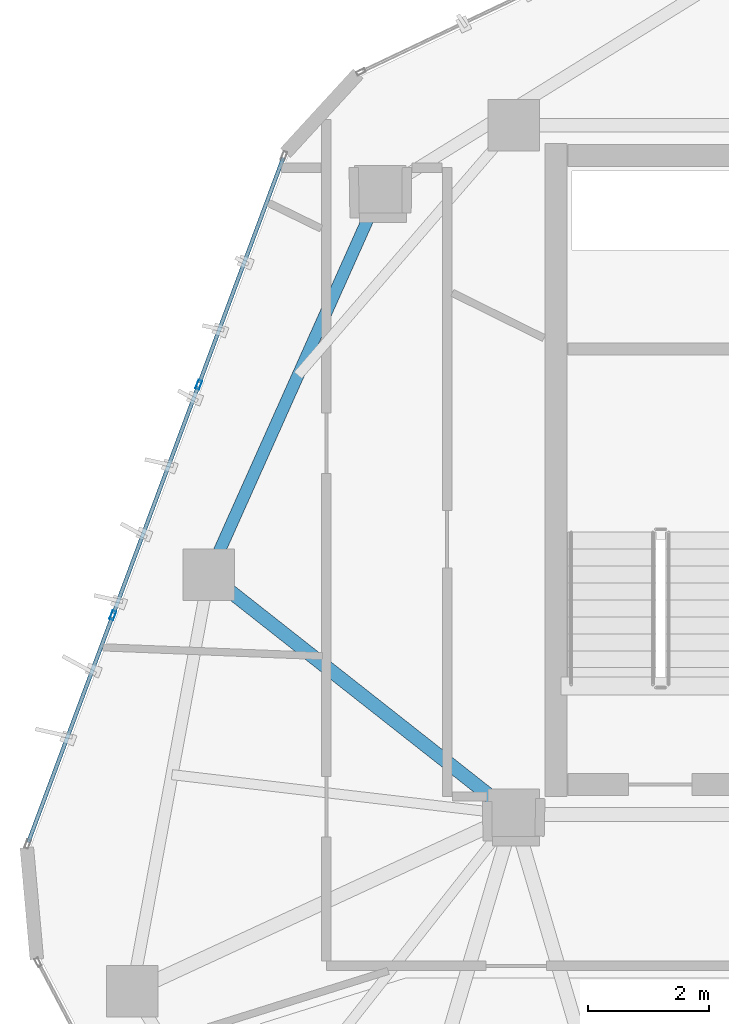
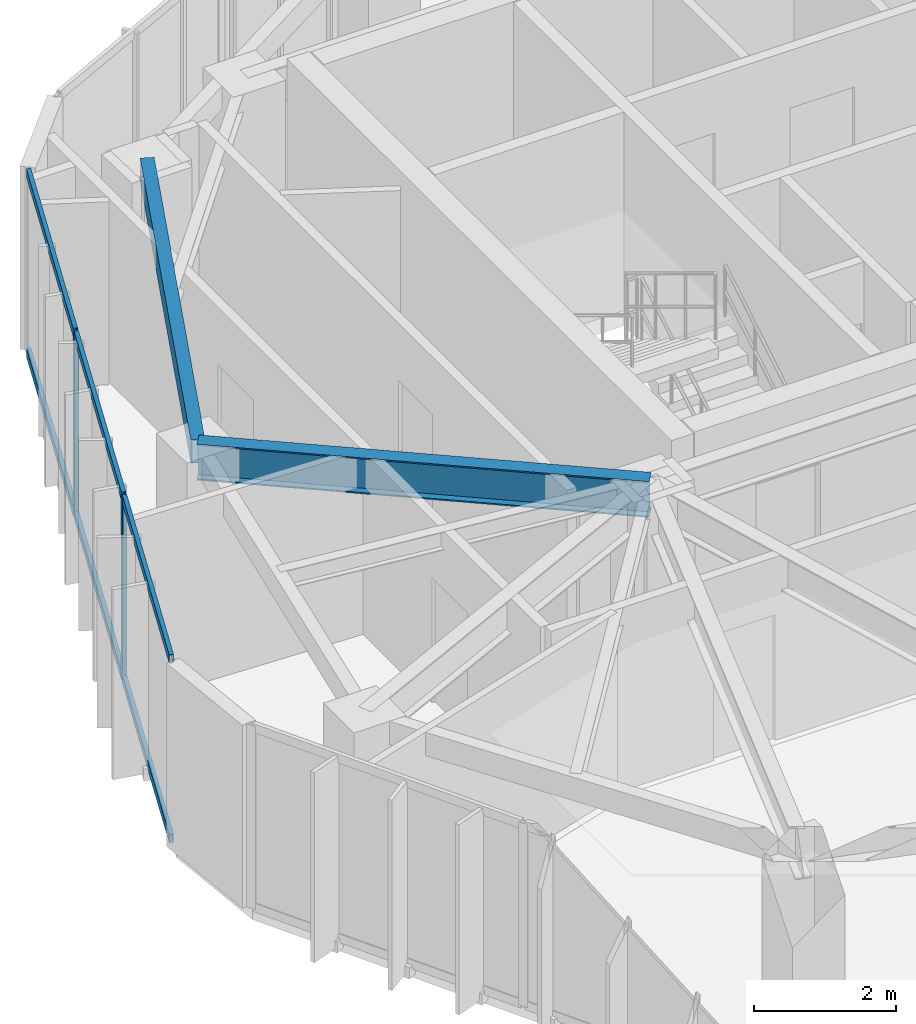
# One storey, part 8 of 20: 8 members, 2 beams, 1 element without a shape of its own.
"""IFC4 building model written with IfcOpenShell, lengths in metres."""

from ifc_helpers import new_model, si_unit, direction, frame, origin, origin_2d, place, context, subcontext, project, spatial, hollow_rectangle, i_section, extrude, source, transform, mapped, material, layer, layer_set, material_profile, profile_set, type_object, type_shapes, element, aggregate, save


model = new_model("IFC4")

# Units and contexts
model_context = context("Model", 3, precision=1e-05, world=origin(), true_north=direction((0.0, 1.0)))
body_context = subcontext(model_context, "Body", "Model", "MODEL_VIEW")
ifc_project = project(units=[si_unit("LENGTHUNIT", "METRE"), si_unit("AREAUNIT", "SQUARE_METRE"), si_unit("VOLUMEUNIT", "CUBIC_METRE"), si_unit("PLANEANGLEUNIT", "RADIAN"), si_unit("MASSUNIT", "GRAM", prefix="KILO")], contexts=[model_context])

# Site, building, storey
site_placement = place(None, origin())
site = spatial("IfcSite", under=ifc_project, at=site_placement, CompositionType="ELEMENT")
building_placement = place(site_placement, origin())
building = spatial("IfcBuilding", under=site, at=building_placement, Name="Talar Marvaseh", CompositionType="ELEMENT")
storey_placement = place(building_placement, frame((0.0, 0.0, 268.0)))
storey = spatial("IfcBuildingStorey", under=building, at=storey_placement, Name="L71", CompositionType="ELEMENT", Elevation=268.0)

# Beams
ifc_material_1 = material(Name="Steel S355", Category="steel")
ifc_material_profile_1 = material_profile(ifc_material_1, hollow_rectangle(XDim=0.199951171875, YDim=0.39990234375, WallThickness=0.013916015625, at=origin_2d()), Name="RHS400x200x14")
ifc_profile_set_1 = profile_set([ifc_material_profile_1], Name="Steel S355")
beam_type_1 = type_object("IfcBeamType", Name="Zone 3 Perimeter Spandrel Beam RHS400x200x14", PredefinedType="SPANDREL", material=ifc_profile_set_1)
beam_1_placement = place(storey_placement, frame((13.657958984375, 29.469970703125, 2.93994140625), z_axis=(0.408486346803, 0.912764429892, 0.0), x_axis=(-0.912764429892, 0.408486346803, 0.0)))
element("IfcBeam", 1, at=beam_1_placement, inside=storey, type_object=beam_type_1, Name="L71 Zone 3 Perimeter Spandrel Beam RHS400x200x14", PredefinedType="SPANDREL", context=body_context, shape_type="SweptSolid", body=[
    extrude(hollow_rectangle(XDim=0.199951171875, YDim=0.39990234375, WallThickness=0.013916015625, at=origin_2d()), origin(), (0.0, 0.0, 1.0), 6.942626953125),
])
ifc_material_profile_2 = material_profile(ifc_material_1, i_section(OverallWidth=0.22998046875, OverallDepth=0.616943359375, WebThickness=0.01318359375, FlangeThickness=0.022216796875, at=origin_2d()), Name="W610x140")
ifc_profile_set_2 = profile_set([ifc_material_profile_2], Name="Steel S355")
beam_type_2 = type_object("IfcBeamType", Name="Zone 4 Radial Floor Girder W610x140", PredefinedType="BEAM", material=ifc_profile_set_2)
beam_2_placement = place(storey_placement, frame((13.657958984375, 29.469970703125, 2.83154296875), z_axis=(0.785681617372, -0.618631066245, 0.0), x_axis=(0.618631066245, 0.785681617372, 0.0)))
element("IfcBeam", 2, at=beam_2_placement, inside=storey, type_object=beam_type_2, Name="L71 Zone 4 Radial Floor Girder W610x140", PredefinedType="BEAM", context=body_context, shape_type="SweptSolid", body=[
    extrude(i_section(OverallWidth=0.22998046875, OverallDepth=0.616943359375, WebThickness=0.01318359375, FlangeThickness=0.022216796875, at=origin_2d()), origin(), (0.0, 0.0, 1.0), 6.417236328125),
])

# Curtain wall, members
ifc_material_2 = material(Name="Architectural Aluminium", Category="aluminium")
ifc_layer = layer(ifc_material_2, 0.179931640625)
ifc_layer_set = layer_set([ifc_layer], Name="Architectural Aluminium")
curtain_wall_type = type_object("IfcCurtainWallType", Name="Unitised High-Wind Sky Curtain Wall Z4", PredefinedType="NOTDEFINED", material=ifc_layer_set)
curtain_wall_placement = place(storey_placement, origin())
curtain_wall = element("IfcCurtainWall", 3, at=curtain_wall_placement, inside=storey, type_object=curtain_wall_type, Name="L71 Unitised High-Wind Sky Curtain Wall Z4", PredefinedType="NOTDEFINED")
ifc_material_profile_3 = material_profile(ifc_material_2, hollow_rectangle(XDim=0.06494140625, YDim=0.14990234375, WallThickness=0.00390625, at=origin_2d()), Name="RHS150x65x4")
ifc_profile_set_3 = profile_set([ifc_material_profile_3], Name="Architectural Aluminium")
member_type_1 = type_object("IfcMemberType", Name="Unitised Curtain Wall Slim Mullion RHS150x65x4", PredefinedType="MULLION", material=ifc_profile_set_3)
shared_shape_1 = source(origin(), body_context, "Body", "SweptSolid", [
    extrude(hollow_rectangle(XDim=0.06494140625, YDim=0.14990234375, WallThickness=0.00390625, at=origin_2d()), origin(), (0.0, 0.0, 1.0), 3.139892578125),
])
type_shapes(member_type_1, [shared_shape_1])
member_1_placement = place(storey_placement, frame((12.071533203125, 28.796630859375, 0.0), z_axis=(0.0, 0.0, 1.0), x_axis=(-0.937087895549, 0.34909350612, 0.0)))
member_1 = element("IfcMember", 4, at=member_1_placement, type_object=member_type_1, Name="CW-Z4 mullion 2", PredefinedType="MULLION", context=body_context, shape_type="MappedRepresentation", body=[
    mapped(shared_shape_1, transform((0.0, 0.0, 0.0), x_axis=(1.0, 0.0, 0.0), y_axis=(0.0, 1.0, 0.0), z_axis=(0.0, 0.0, 1.0), scale=1.0)),
])
member_2_placement = place(storey_placement, frame((13.491943359375, 32.609130859375, 0.0), z_axis=(0.0, 0.0, 1.0), x_axis=(-0.937087895549, 0.34909350612, 0.0)))
member_2 = element("IfcMember", 5, at=member_2_placement, type_object=member_type_1, Name="CW-Z4 mullion 3", PredefinedType="MULLION", context=body_context, shape_type="MappedRepresentation", body=[
    mapped(shared_shape_1, transform((0.0, 0.0, 0.0), x_axis=(1.0, 0.0, 0.0), y_axis=(0.0, 1.0, 0.0), z_axis=(0.0, 0.0, 1.0), scale=1.0)),
])
ifc_material_profile_4 = material_profile(ifc_material_2, hollow_rectangle(XDim=0.06494140625, YDim=0.14990234375, WallThickness=0.00390625, at=origin_2d()), Name="RHS150x65x4")
ifc_profile_set_4 = profile_set([ifc_material_profile_4], Name="Architectural Aluminium")
member_type_2 = type_object("IfcMemberType", Name="Unitised Curtain Wall Slim Transom RHS150x65x4", PredefinedType="USERDEFINED", material=ifc_profile_set_4)
shared_shape_2 = source(origin(), body_context, "Body", "SweptSolid", [
    extrude(hollow_rectangle(XDim=0.06494140625, YDim=0.14990234375, WallThickness=0.00390625, at=origin_2d()), origin(), (0.0, 0.0, 1.0), 3.97119140625),
])
member_3_placement = place(storey_placement, frame((10.673828125, 25.044921875, 0.032470703125), z_axis=(0.349141838294, 0.937069888937, 0.0), x_axis=(-0.937069888937, 0.349141838294, 0.0)))
member_3 = element("IfcMember", 6, at=member_3_placement, type_object=member_type_2, Name="CW-Z4 transom 1.1", ObjectType="TRANSOM", PredefinedType="USERDEFINED", context=body_context, shape_type="MappedRepresentation", body=[
    mapped(shared_shape_2, transform((0.0, 0.0, 0.0), x_axis=(1.0, 0.0, 0.0), y_axis=(0.0, 1.0, 0.0), z_axis=(0.0, 0.0, 1.0), scale=1.0)),
])
member_4_placement = place(storey_placement, frame((10.673828125, 25.044921875, 3.107421875), z_axis=(0.349141838294, 0.937069888937, 0.0), x_axis=(-0.937069888937, 0.349141838294, 0.0)))
member_4 = element("IfcMember", 7, at=member_4_placement, type_object=member_type_2, Name="CW-Z4 transom 1.2", ObjectType="TRANSOM", PredefinedType="USERDEFINED", context=body_context, shape_type="MappedRepresentation", body=[
    mapped(shared_shape_2, transform((0.0, 0.0, 0.0), x_axis=(1.0, 0.0, 0.0), y_axis=(0.0, 1.0, 0.0), z_axis=(0.0, 0.0, 1.0), scale=1.0)),
])
member_5_placement = place(storey_placement, frame((13.503173828125, 32.6396484375, 0.032470703125), z_axis=(0.349067740518, 0.93709749361, 0.0), x_axis=(-0.93709749361, 0.349067740518, 0.0)))
member_5 = element("IfcMember", 8, at=member_5_placement, type_object=member_type_2, Name="CW-Z4 transom 3.1", ObjectType="TRANSOM", PredefinedType="USERDEFINED", context=body_context, shape_type="MappedRepresentation", body=[
    mapped(shared_shape_2, transform((0.0, 0.0, 0.0), x_axis=(1.0, 0.0, 0.0), y_axis=(0.0, 1.0, 0.0), z_axis=(0.0, 0.0, 1.0), scale=1.0)),
])
member_6_placement = place(storey_placement, frame((13.503173828125, 32.6396484375, 3.107421875), z_axis=(0.349067740518, 0.93709749361, 0.0), x_axis=(-0.93709749361, 0.349067740518, 0.0)))
member_6 = element("IfcMember", 9, at=member_6_placement, type_object=member_type_2, Name="CW-Z4 transom 3.2", ObjectType="TRANSOM", PredefinedType="USERDEFINED", context=body_context, shape_type="MappedRepresentation", body=[
    mapped(shared_shape_2, transform((0.0, 0.0, 0.0), x_axis=(1.0, 0.0, 0.0), y_axis=(0.0, 1.0, 0.0), z_axis=(0.0, 0.0, 1.0), scale=1.0)),
])
shared_shape_3 = source(origin(), body_context, "Body", "SweptSolid", [
    extrude(hollow_rectangle(XDim=0.06494140625, YDim=0.14990234375, WallThickness=0.00390625, at=origin_2d()), origin(), (0.0, 0.0, 1.0), 4.00390625),
])
type_shapes(member_type_2, [shared_shape_2, shared_shape_3])
member_7_placement = place(storey_placement, frame((12.082763671875, 28.826904296875, 0.032470703125), z_axis=(0.349091174786, 0.937088764038, 0.0), x_axis=(-0.937088764038, 0.349091174786, 0.0)))
member_7 = element("IfcMember", 10, at=member_7_placement, type_object=member_type_2, Name="CW-Z4 transom 2.1", ObjectType="TRANSOM", PredefinedType="USERDEFINED", context=body_context, shape_type="MappedRepresentation", body=[
    mapped(shared_shape_3, transform((0.0, 0.0, 0.0), x_axis=(1.0, 0.0, 0.0), y_axis=(0.0, 1.0, 0.0), z_axis=(0.0, 0.0, 1.0), scale=1.0)),
])
member_8_placement = place(storey_placement, frame((12.082763671875, 28.826904296875, 3.107421875), z_axis=(0.349091174786, 0.937088764038, 0.0), x_axis=(-0.937088764038, 0.349091174786, 0.0)))
member_8 = element("IfcMember", 11, at=member_8_placement, type_object=member_type_2, Name="CW-Z4 transom 2.2", ObjectType="TRANSOM", PredefinedType="USERDEFINED", context=body_context, shape_type="MappedRepresentation", body=[
    mapped(shared_shape_3, transform((0.0, 0.0, 0.0), x_axis=(1.0, 0.0, 0.0), y_axis=(0.0, 1.0, 0.0), z_axis=(0.0, 0.0, 1.0), scale=1.0)),
])
aggregate(curtain_wall, [member_1, member_2, member_3, member_4, member_7, member_8, member_5, member_6])

save(model, "model.ifc")
